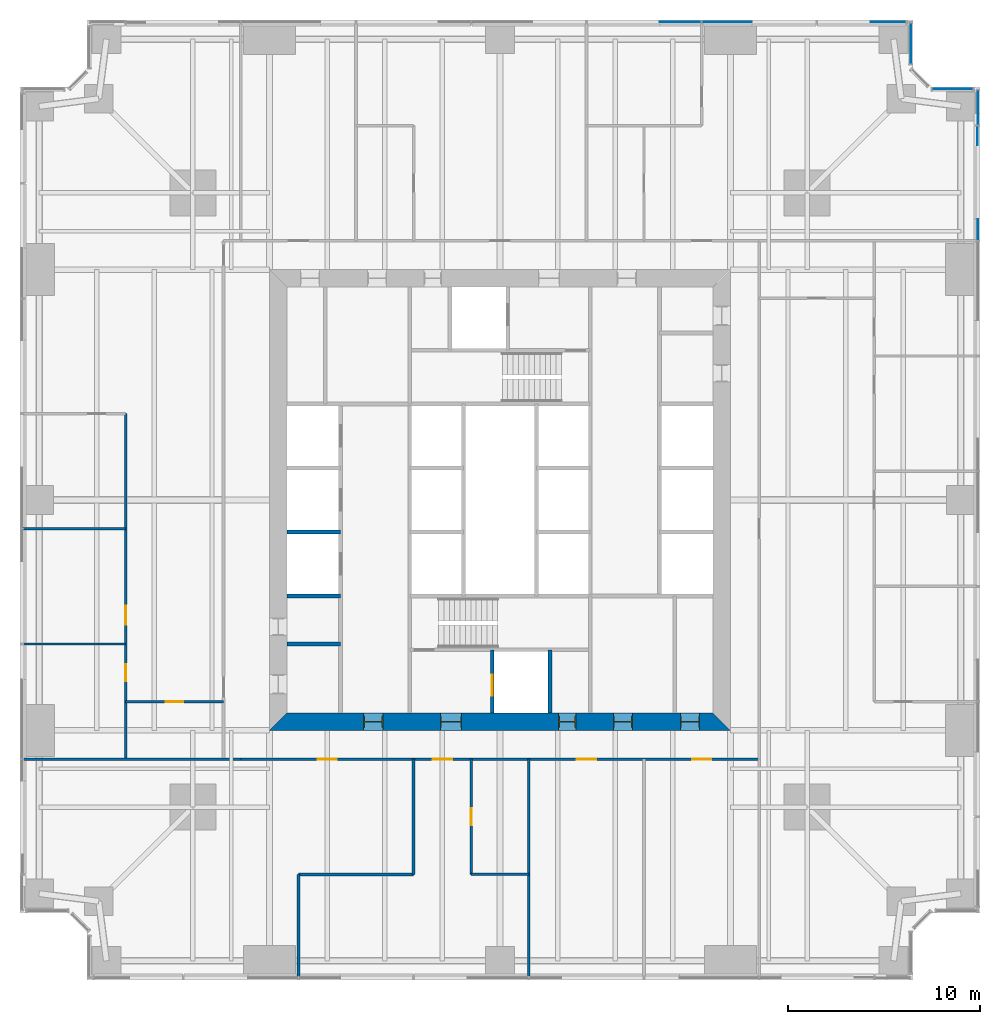
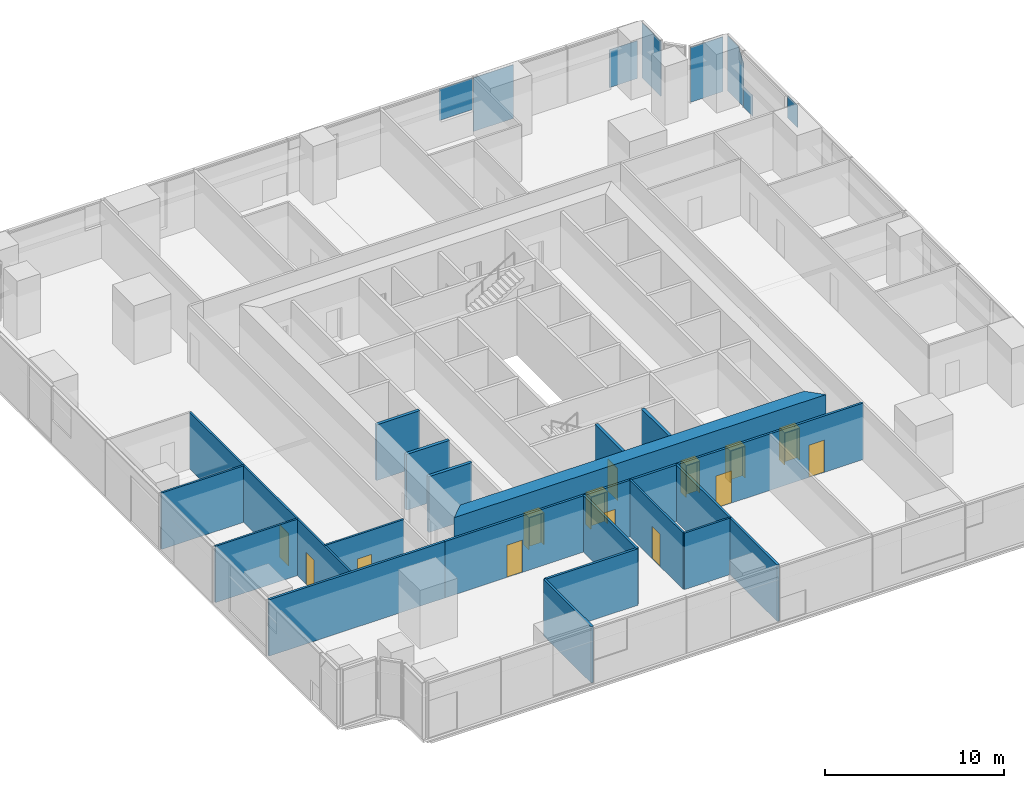
# One storey, part 9 of 14: 18 walls, 14 doors, 8 plates, 14 openings, 4 elements without a shape of their own.
"""IFC4 building model written with IfcOpenShell, lengths in metres."""

from ifc_helpers import new_model, si_unit, direction, frame, frame_2d, origin, origin_2d, place, context, subcontext, project, spatial, polyline, rectangle, outline, extrude, material, layer, layer_set, type_object, element, fill, aggregate, save


model = new_model("IFC4")

# Units and contexts
model_context = context("Model", 3, precision=1e-05, world=origin(), true_north=direction((0.0, 1.0)))
body_context = subcontext(model_context, "Body", "Model", "MODEL_VIEW")
ifc_project = project(units=[si_unit("LENGTHUNIT", "METRE"), si_unit("AREAUNIT", "SQUARE_METRE"), si_unit("VOLUMEUNIT", "CUBIC_METRE"), si_unit("PLANEANGLEUNIT", "RADIAN"), si_unit("MASSUNIT", "GRAM", prefix="KILO")], contexts=[model_context])

# Site, building, storey
site_placement = place(None, origin())
site = spatial("IfcSite", under=ifc_project, at=site_placement, CompositionType="ELEMENT")
building_placement = place(site_placement, origin())
building = spatial("IfcBuilding", under=site, at=building_placement, Name="Fenwick Lantern Interchange", CompositionType="ELEMENT")
storey_placement = place(building_placement, frame((0.0, 0.0, 35.0)))
storey = spatial("IfcBuildingStorey", under=building, at=storey_placement, Name="L07", CompositionType="ELEMENT", Elevation=35.0)

# Curtain wall, plates
ifc_material_1 = material(Name="Aluminium curtain wall frame", Category="aluminium")
curtain_wall_type = type_object("IfcCurtainWallType", Name="OFFICE CURTAIN WALL", PredefinedType="USERDEFINED", material=ifc_material_1)
curtain_wall_1_placement = place(storey_placement, origin())
curtain_wall_1 = element("IfcCurtainWall", 1, at=curtain_wall_1_placement, inside=storey, type_object=curtain_wall_type, Name="Office curtain wall 05", ObjectType="OFFICE CURTAIN WALL", PredefinedType="USERDEFINED")
ifc_material_2 = material(Name="Vision glass, clear low-iron double glazed", Category="glass")
ifc_layer_1 = layer(ifc_material_2, 0.031982421875)
ifc_layer_set_1 = layer_set([ifc_layer_1], Name="OFFICE CURTAIN WALL PANEL 32")
plate_type = type_object("IfcPlateType", Name="OFFICE CURTAIN WALL PANEL 32", PredefinedType="CURTAIN_PANEL", material=ifc_layer_set_1)
plate_1_placement = place(storey_placement, frame((49.89990234375, 3.60009765625, 2.207763671875), z_axis=(0.0, 0.0, 1.0), x_axis=(0.0, 1.0, 0.0)))
plate_1 = element("IfcPlate", 2, at=plate_1_placement, type_object=plate_type, Name="L07/CW/05/P06a", PredefinedType="CURTAIN_PANEL", context=body_context, shape_type="SweptSolid", body=[
    extrude(outline(polyline([(34.9326171875, 0.0), (36.027587890625, 0.0), (36.027587890625, 1.542236328125), (34.9326171875, 1.542236328125), (34.9326171875, 0.0)])), frame((0.0, 0.01611328125, 0.0), z_axis=(0.0, -1.0, 0.0), x_axis=(1.0, 0.0, 0.0)), (0.0, 0.0, 1.0), 0.031982421875),
])
plate_2_placement = place(storey_placement, frame((49.89990234375, 3.60009765625, 0.0), z_axis=(0.0, 0.0, 1.0), x_axis=(0.0, 1.0, 0.0)))
plate_2 = element("IfcPlate", 3, at=plate_2_placement, type_object=plate_type, Name="L07/CW/05/P06b", PredefinedType="CURTAIN_PANEL", context=body_context, shape_type="SweptSolid", body=[
    extrude(outline(polyline([(39.87060546875, 0.0), (40.867431640625, 0.0), (40.867431640625, 1.406982421875), (39.87060546875, 1.406982421875), (39.87060546875, 0.0)])), frame((0.0, 0.0498046875, 0.0), z_axis=(0.0, -1.0, 0.0), x_axis=(1.0, 0.0, 0.0)), (0.0, 0.0, 1.0), 0.031982421875),
])
plate_3_placement = place(storey_placement, frame((49.89990234375, 3.60009765625, 0.0), z_axis=(0.0, 0.0, 1.0), x_axis=(0.0, 1.0, 0.0)))
plate_3 = element("IfcPlate", 4, at=plate_3_placement, type_object=plate_type, Name="L07/CW/05/P07a", PredefinedType="CURTAIN_PANEL", context=body_context, shape_type="SweptSolid", body=[
    extrude(outline(polyline([(40.9326171875, 0.0), (42.735107421875, 0.0), (42.735107421875, 3.75), (41.527587890625, 3.75), (40.9326171875, 2.90869140625), (40.9326171875, 0.0)])), frame((0.0, 0.01611328125, 0.0), z_axis=(0.0, -1.0, 0.0), x_axis=(1.0, 0.0, 0.0)), (0.0, 0.0, 1.0), 0.031982421875),
])
aggregate(curtain_wall_1, [plate_1, plate_2, plate_3])

# Curtain wall, plate
curtain_wall_2_placement = place(storey_placement, origin())
curtain_wall_2 = element("IfcCurtainWall", 5, at=curtain_wall_2_placement, inside=storey, type_object=curtain_wall_type, Name="Office curtain wall 06", ObjectType="OFFICE CURTAIN WALL", PredefinedType="USERDEFINED")
plate_4_placement = place(storey_placement, frame((48.579345703125, 46.39990234375, 0.0), z_axis=(0.0, 0.0, 1.0), x_axis=(-1.0, 0.0, 0.0)))
plate_4 = element("IfcPlate", 6, at=plate_4_placement, type_object=plate_type, Name="L07/CW/06/P00", PredefinedType="CURTAIN_PANEL", context=body_context, shape_type="SweptSolid", body=[
    extrude(rectangle(XDim=2.111328125, YDim=0.031982421875, at=origin_2d()), origin(), (0.0, 0.0, 1.0), 3.75),
])
aggregate(curtain_wall_2, [plate_4])

curtain_wall_3_placement = place(storey_placement, origin())
curtain_wall_3 = element("IfcCurtainWall", 7, at=curtain_wall_3_placement, inside=storey, type_object=curtain_wall_type, Name="Office curtain wall 08", ObjectType="OFFICE CURTAIN WALL", PredefinedType="USERDEFINED")
plate_5_placement = place(storey_placement, frame((46.39990234375, 48.779296875, 0.0), z_axis=(0.0, 0.0, 1.0), x_axis=(0.0, 1.0, 0.0)))
plate_5 = element("IfcPlate", 8, at=plate_5_placement, type_object=plate_type, Name="L07/CW/08/P00", PredefinedType="CURTAIN_PANEL", context=body_context, shape_type="SweptSolid", body=[
    extrude(rectangle(XDim=2.111328125, YDim=0.031982421875, at=origin_2d()), origin(), (0.0, 0.0, 1.0), 3.75),
])
aggregate(curtain_wall_3, [plate_5])

# Curtain wall, plates
curtain_wall_4_placement = place(storey_placement, origin())
curtain_wall_4 = element("IfcCurtainWall", 9, at=curtain_wall_4_placement, inside=storey, type_object=curtain_wall_type, Name="Office curtain wall 09", ObjectType="OFFICE CURTAIN WALL", PredefinedType="USERDEFINED")
plate_6_placement = place(storey_placement, frame((46.39990234375, 49.89990234375, 0.0), z_axis=(0.0, 0.0, 1.0), x_axis=(-1.0, 0.0, 0.0)))
plate_6 = element("IfcPlate", 10, at=plate_6_placement, type_object=plate_type, Name="L07/CW/09/P00a", PredefinedType="CURTAIN_PANEL", context=body_context, shape_type="SweptSolid", body=[
    extrude(outline(polyline([(0.264892578125, 0.0), (2.094970703125, 0.0), (2.094970703125, 2.5869140625), (0.264892578125, 2.5869140625), (0.264892578125, 0.0)])), frame((0.0, 0.01611328125, 0.0), z_axis=(0.0, -1.0, 0.0), x_axis=(1.0, 0.0, 0.0)), (0.0, 0.0, 1.0), 0.031982421875),
])
plate_7_placement = place(storey_placement, frame((46.39990234375, 49.89990234375, 0.08056640625), z_axis=(0.0, 0.0, 1.0), x_axis=(-1.0, 0.0, 0.0)))
plate_7 = element("IfcPlate", 11, at=plate_7_placement, type_object=plate_type, Name="L07/CW/09/P01a", PredefinedType="CURTAIN_PANEL", context=body_context, shape_type="SweptSolid", body=[
    extrude(outline(polyline([(8.27685546875, 0.0), (10.867431640625, 0.0), (10.867431640625, 3.66943359375), (8.27685546875, 3.66943359375), (8.27685546875, 0.0)])), frame((0.0, 0.01611328125, 0.0), z_axis=(0.0, -1.0, 0.0), x_axis=(1.0, 0.0, 0.0)), (0.0, 0.0, 1.0), 0.031982421875),
])
plate_8_placement = place(storey_placement, frame((46.39990234375, 49.89990234375, 1.60595703125), z_axis=(0.0, 0.0, 1.0), x_axis=(-1.0, 0.0, 0.0)))
plate_8 = element("IfcPlate", 12, at=plate_8_placement, type_object=plate_type, Name="L07/CW/09/P02a", PredefinedType="CURTAIN_PANEL", context=body_context, shape_type="SweptSolid", body=[
    extrude(outline(polyline([(10.9326171875, 0.0), (13.077392578125, 0.0), (13.077392578125, 2.14404296875), (10.9326171875, 2.14404296875), (10.9326171875, 0.0)])), frame((0.0, 0.01611328125, 0.0), z_axis=(0.0, -1.0, 0.0), x_axis=(1.0, 0.0, 0.0)), (0.0, 0.0, 1.0), 0.031982421875),
])
aggregate(curtain_wall_4, [plate_6, plate_7, plate_8])

# Walls
ifc_material_3 = material(Name="Concrete masonry ASTM C90 Grade N", Category="masonry")
ifc_layer_2 = layer(ifc_material_3, 0.199951171875)
ifc_layer_set_2 = layer_set([ifc_layer_2], Name="Concrete masonry ASTM C90 Grade N")
wall_type_1 = type_object("IfcWallType", Name="CORE PARTITION 200", PredefinedType="PARTITIONING", material=ifc_layer_set_2)
for number, where, z_axis, x_axis, name in (
    (13, (13.89990234375, 20.0, 0.0), (0.0, 0.0, 1.0), (1.0, 0.0, 0.0), "L07/W/CORES/c2"),
    (14, (13.89990234375, 23.333251953125, 0.0), (0.0, 0.0, 1.0), (1.0, 0.0, 0.0), "L07/W/CORES/d1"),
):
    element("IfcWall", number, at=place(storey_placement, frame(where, z_axis=z_axis, x_axis=x_axis)), inside=storey, type_object=wall_type_1, Name=name, PredefinedType="PARTITIONING", context=body_context, shape_type="SweptSolid", body=[
        extrude(rectangle(XDim=2.800048828125, YDim=0.199951171875, at=frame_2d((1.39990234375, 0.0))), origin(), (0.0, 0.0, 1.0), 3.800048828125),
    ])

# Wall, opening, door
wall_1_placement = place(storey_placement, frame((24.60009765625, 13.89990234375, 0.0), z_axis=(0.0, 0.0, 1.0), x_axis=(0.0, 1.0, 0.0)))
wall_1 = element("IfcWall", 15, at=wall_1_placement, inside=storey, type_object=wall_type_1, Name="L07/W/CORES/h1", PredefinedType="PARTITIONING", context=body_context, shape_type="SweptSolid", body=[
    extrude(rectangle(XDim=3.300048828125, YDim=0.199951171875, at=frame_2d((1.64990234375, 0.0))), origin(), (0.0, 0.0, 1.0), 3.800048828125),
])
opening_1_placement = place(wall_1_placement, frame((0.89990234375, 0.0, 0.0)))
opening_1 = element("IfcOpeningElement", 16, at=opening_1_placement, cuts=wall_1, Name="Opening LD-FL1", PredefinedType="OPENING", context=body_context, shape_type="SweptSolid", body=[
    extrude(rectangle(XDim=1.10009765625, YDim=2.199951171875, at=frame_2d((0.550048828125, 1.10009765625))), frame((0.0, 0.10986328125, 0.0), z_axis=(0.0, -1.0, 0.0), x_axis=(1.0, 0.0, 0.0)), (0.0, 0.0, 1.0), 0.219970703125),
])
ifc_material_4 = material(Name="Steel door and frame", Category="steel")
door_type_1 = type_object("IfcDoorType", Name="LIFT LANDING DOOR 1100 X 2200", OperationType="DOUBLE_DOOR_SLIDING", PredefinedType="DOOR", material=ifc_material_4)
door_1_placement = place(opening_1_placement, origin())
door_1 = element("IfcDoor", 17, at=door_1_placement, inside=storey, type_object=door_type_1, Name="Lift landing door FL1", OperationType="DOUBLE_DOOR_SLIDING", OverallHeight=2.199951171875, OverallWidth=1.10009765625, PredefinedType="DOOR", context=body_context, shape_type="SweptSolid", body=[
    extrude(rectangle(XDim=1.10009765625, YDim=2.199951171875, at=frame_2d((0.550048828125, 1.10009765625))), frame((0.0, 0.02490234375, 0.0), z_axis=(0.0, -1.0, 0.0), x_axis=(1.0, 0.0, 0.0)), (0.0, 0.0, 1.0), 0.050048828125),
])
fill(opening_1, door_1)

# Walls
wall_2_placement = place(storey_placement, frame((27.60009765625, 13.89990234375, 0.0), z_axis=(0.0, 0.0, 1.0), x_axis=(0.0, 1.0, 0.0)))
element("IfcWall", 18, at=wall_2_placement, inside=storey, type_object=wall_type_1, Name="L07/W/CORES/h2", PredefinedType="PARTITIONING", context=body_context, shape_type="SweptSolid", body=[
    extrude(rectangle(XDim=3.300048828125, YDim=0.199951171875, at=frame_2d((1.64990234375, 0.0))), origin(), (0.0, 0.0, 1.0), 3.800048828125),
])
wall_3_placement = place(storey_placement, frame((13.89990234375, 17.5, 0.0), z_axis=(0.0, 0.0, 1.0), x_axis=(1.0, 0.0, 0.0)))
element("IfcWall", 19, at=wall_3_placement, inside=storey, type_object=wall_type_1, Name="L07/W/CORES/p1", PredefinedType="PARTITIONING", context=body_context, shape_type="SweptSolid", body=[
    extrude(rectangle(XDim=2.800048828125, YDim=0.199951171875, at=frame_2d((1.39990234375, 0.0))), origin(), (0.0, 0.0, 1.0), 3.800048828125),
])

# Wall, openings, doors
ifc_material_5 = material(Name="Concrete f'c 70 MPa", Category="concrete")
ifc_layer_3 = layer(ifc_material_5, 0.89990234375)
ifc_layer_set_3 = layer_set([ifc_layer_3], Name="CORE WALL 900")
wall_type_2 = type_object("IfcWallType", Name="CORE WALL 900", PredefinedType="SHEAR", material=ifc_layer_set_3)
wall_4_placement = place(storey_placement, frame((13.0, 13.449951171875, 0.0), z_axis=(0.0, 0.0, 1.0), x_axis=(1.0, 0.0, 0.0)))
wall_4 = element("IfcWall", 20, at=wall_4_placement, inside=storey, type_object=wall_type_2, Name="L07/CORE/S", PredefinedType="SHEAR", context=body_context, shape_type="SweptSolid", body=[
    extrude(outline(polyline([(0.0, -0.449951171875), (24.0, -0.449951171875), (23.10009765625, 0.449951171875), (0.89990234375, 0.449951171875), (0.0, -0.449951171875)])), origin(), (0.0, 0.0, 1.0), 4.0),
])
opening_2_placement = place(wall_4_placement, frame((4.89990234375, 0.0, 0.0)))
opening_2 = element("IfcOpeningElement", 21, at=opening_2_placement, cuts=wall_4, Name="Opening L07-D001", PredefinedType="OPENING", context=body_context, shape_type="SweptSolid", body=[
    extrude(rectangle(XDim=1.0, YDim=2.199951171875, at=frame_2d((0.5, 1.10009765625))), frame((0.0, 0.4599609375, 0.0), z_axis=(0.0, -1.0, 0.0), x_axis=(1.0, 0.0, 0.0)), (0.0, 0.0, 1.0), 0.919921875),
])
opening_3_placement = place(wall_4_placement, frame((8.89990234375, 0.0, 0.0)))
opening_3 = element("IfcOpeningElement", 22, at=opening_3_placement, cuts=wall_4, Name="Opening L07-D002", PredefinedType="OPENING", context=body_context, shape_type="SweptSolid", body=[
    extrude(rectangle(XDim=1.10009765625, YDim=2.199951171875, at=frame_2d((0.550048828125, 1.10009765625))), frame((0.0, 0.4599609375, 0.0), z_axis=(0.0, -1.0, 0.0), x_axis=(1.0, 0.0, 0.0)), (0.0, 0.0, 1.0), 0.919921875),
])
opening_4_placement = place(wall_4_placement, frame((15.050048828125, 0.0, 0.0)))
opening_4 = element("IfcOpeningElement", 23, at=opening_4_placement, cuts=wall_4, Name="Opening L07-D004", PredefinedType="OPENING", context=body_context, shape_type="SweptSolid", body=[
    extrude(rectangle(XDim=0.89990234375, YDim=2.199951171875, at=frame_2d((0.449951171875, 1.10009765625))), frame((0.0, 0.4599609375, 0.0), z_axis=(0.0, -1.0, 0.0), x_axis=(1.0, 0.0, 0.0)), (0.0, 0.0, 1.0), 0.919921875),
])
opening_5_placement = place(wall_4_placement, frame((17.89990234375, 0.0, 0.0)))
opening_5 = element("IfcOpeningElement", 24, at=opening_5_placement, cuts=wall_4, Name="Opening L07-D005", PredefinedType="OPENING", context=body_context, shape_type="SweptSolid", body=[
    extrude(rectangle(XDim=1.0, YDim=2.199951171875, at=frame_2d((0.5, 1.10009765625))), frame((0.0, 0.4599609375, 0.0), z_axis=(0.0, -1.0, 0.0), x_axis=(1.0, 0.0, 0.0)), (0.0, 0.0, 1.0), 0.919921875),
])
opening_6_placement = place(wall_4_placement, frame((21.39990234375, 0.0, 0.0)))
opening_6 = element("IfcOpeningElement", 25, at=opening_6_placement, cuts=wall_4, Name="Opening L07-D006", PredefinedType="OPENING", context=body_context, shape_type="SweptSolid", body=[
    extrude(rectangle(XDim=1.0, YDim=2.199951171875, at=frame_2d((0.5, 1.10009765625))), frame((0.0, 0.4599609375, 0.0), z_axis=(0.0, -1.0, 0.0), x_axis=(1.0, 0.0, 0.0)), (0.0, 0.0, 1.0), 0.919921875),
])
door_type_2 = type_object("IfcDoorType", Name="CORE LOBBY DOOR 1000 X 2200", OperationType="SINGLE_SWING_LEFT", PredefinedType="DOOR", material=ifc_material_4)
door_2_placement = place(opening_2_placement, origin())
door_2 = element("IfcDoor", 26, at=door_2_placement, inside=storey, type_object=door_type_2, Name="Core lobby door", OperationType="SINGLE_SWING_LEFT", OverallHeight=2.199951171875, OverallWidth=1.0, PredefinedType="DOOR", context=body_context, shape_type="SweptSolid", body=[
    extrude(rectangle(XDim=1.0, YDim=2.199951171875, at=frame_2d((0.5, 1.10009765625))), frame((0.0, 0.02490234375, 0.0), z_axis=(0.0, -1.0, 0.0), x_axis=(1.0, 0.0, 0.0)), (0.0, 0.0, 1.0), 0.050048828125),
    extrude(outline(polyline([(0.0, 0.0), (0.0400390625, 0.0), (0.0400390625, 2.159912109375), (0.9599609375, 2.159912109375), (0.9599609375, 0.0), (1.0, 0.0), (1.0, 2.199951171875), (0.0, 2.199951171875), (0.0, 0.0)])), frame((0.0, 0.300048828125, 0.0), z_axis=(0.0, -1.0, 0.0), x_axis=(1.0, 0.0, 0.0)), (0.0, 0.0, 1.0), 0.60009765625),
])
fill(opening_2, door_2)
door_type_3 = type_object("IfcDoorType", Name="FIRE LOBBY DOOR 1100 X 2200", OperationType="SINGLE_SWING_LEFT", PredefinedType="DOOR", material=ifc_material_4)
door_3_placement = place(opening_3_placement, origin())
door_3 = element("IfcDoor", 27, at=door_3_placement, inside=storey, type_object=door_type_3, Name="Fire lobby door", OperationType="SINGLE_SWING_LEFT", OverallHeight=2.199951171875, OverallWidth=1.10009765625, PredefinedType="DOOR", context=body_context, shape_type="SweptSolid", body=[
    extrude(rectangle(XDim=1.10009765625, YDim=2.199951171875, at=frame_2d((0.550048828125, 1.10009765625))), frame((0.0, 0.02490234375, 0.0), z_axis=(0.0, -1.0, 0.0), x_axis=(1.0, 0.0, 0.0)), (0.0, 0.0, 1.0), 0.050048828125),
    extrude(outline(polyline([(0.0, 0.0), (0.0400390625, 0.0), (0.0400390625, 2.159912109375), (1.06005859375, 2.159912109375), (1.06005859375, 0.0), (1.10009765625, 0.0), (1.10009765625, 2.199951171875), (0.0, 2.199951171875), (0.0, 0.0)])), frame((0.0, 0.300048828125, 0.0), z_axis=(0.0, -1.0, 0.0), x_axis=(1.0, 0.0, 0.0)), (0.0, 0.0, 1.0), 0.60009765625),
])
fill(opening_3, door_3)
door_type_4 = type_object("IfcDoorType", Name="SERVICE DOOR 900 X 2200", OperationType="SINGLE_SWING_LEFT", PredefinedType="DOOR", material=ifc_material_4)
door_4_placement = place(opening_4_placement, origin())
door_4 = element("IfcDoor", 28, at=door_4_placement, inside=storey, type_object=door_type_4, Name="Service door", OperationType="SINGLE_SWING_LEFT", OverallHeight=2.199951171875, OverallWidth=0.89990234375, PredefinedType="DOOR", context=body_context, shape_type="SweptSolid", body=[
    extrude(rectangle(XDim=0.89990234375, YDim=2.199951171875, at=frame_2d((0.449951171875, 1.10009765625))), frame((0.0, 0.02490234375, 0.0), z_axis=(0.0, -1.0, 0.0), x_axis=(1.0, 0.0, 0.0)), (0.0, 0.0, 1.0), 0.050048828125),
    extrude(outline(polyline([(0.0, 0.0), (0.0400390625, 0.0), (0.0400390625, 2.159912109375), (0.85986328125, 2.159912109375), (0.85986328125, 0.0), (0.89990234375, 0.0), (0.89990234375, 2.199951171875), (0.0, 2.199951171875), (0.0, 0.0)])), frame((0.0, 0.300048828125, 0.0), z_axis=(0.0, -1.0, 0.0), x_axis=(1.0, 0.0, 0.0)), (0.0, 0.0, 1.0), 0.60009765625),
])
fill(opening_4, door_4)
ifc_material_6 = material(Name="Hardwood door and steel frame", Category="steel")
door_type_5 = type_object("IfcDoorType", Name="WC DOOR 1000 X 2200", OperationType="SINGLE_SWING_LEFT", PredefinedType="DOOR", material=ifc_material_6)
door_5_placement = place(opening_5_placement, origin())
door_5 = element("IfcDoor", 29, at=door_5_placement, inside=storey, type_object=door_type_5, Name="Wc door", OperationType="SINGLE_SWING_LEFT", OverallHeight=2.199951171875, OverallWidth=1.0, PredefinedType="DOOR", context=body_context, shape_type="SweptSolid", body=[
    extrude(rectangle(XDim=1.0, YDim=2.199951171875, at=frame_2d((0.5, 1.10009765625))), frame((0.0, 0.02490234375, 0.0), z_axis=(0.0, -1.0, 0.0), x_axis=(1.0, 0.0, 0.0)), (0.0, 0.0, 1.0), 0.050048828125),
    extrude(outline(polyline([(0.0, 0.0), (0.0400390625, 0.0), (0.0400390625, 2.159912109375), (0.9599609375, 2.159912109375), (0.9599609375, 0.0), (1.0, 0.0), (1.0, 2.199951171875), (0.0, 2.199951171875), (0.0, 0.0)])), frame((0.0, 0.300048828125, 0.0), z_axis=(0.0, -1.0, 0.0), x_axis=(1.0, 0.0, 0.0)), (0.0, 0.0, 1.0), 0.60009765625),
])
fill(opening_5, door_5)
door_6_placement = place(opening_6_placement, origin())
door_6 = element("IfcDoor", 30, at=door_6_placement, inside=storey, type_object=door_type_5, Name="Wc door", OperationType="SINGLE_SWING_LEFT", OverallHeight=2.199951171875, OverallWidth=1.0, PredefinedType="DOOR", context=body_context, shape_type="SweptSolid", body=[
    extrude(rectangle(XDim=1.0, YDim=2.199951171875, at=frame_2d((0.5, 1.10009765625))), frame((0.0, 0.02490234375, 0.0), z_axis=(0.0, -1.0, 0.0), x_axis=(1.0, 0.0, 0.0)), (0.0, 0.0, 1.0), 0.050048828125),
    extrude(outline(polyline([(0.0, 0.0), (0.0400390625, 0.0), (0.0400390625, 2.159912109375), (0.9599609375, 2.159912109375), (0.9599609375, 0.0), (1.0, 0.0), (1.0, 2.199951171875), (0.0, 2.199951171875), (0.0, 0.0)])), frame((0.0, 0.300048828125, 0.0), z_axis=(0.0, -1.0, 0.0), x_axis=(1.0, 0.0, 0.0)), (0.0, 0.0, 1.0), 0.60009765625),
])
fill(opening_6, door_6)

ifc_material_7 = material(Name="Gypsum board on steel studs, 1 hour", Category="steel")
ifc_layer_4 = layer(ifc_material_7, 0.14990234375)
ifc_layer_set_4 = layer_set([ifc_layer_4], Name="CORRIDOR WALL 150")
wall_type_3 = type_object("IfcWallType", Name="CORRIDOR WALL 150", PredefinedType="PARTITIONING", material=ifc_layer_set_4)
wall_5_placement = place(storey_placement, frame((11.5, 11.5, 0.0), z_axis=(0.0, 0.0, 1.0), x_axis=(1.0, 0.0, 0.0)))
wall_5 = element("IfcWall", 31, at=wall_5_placement, inside=storey, type_object=wall_type_3, Name="L07/W/OFF/S/CW", PredefinedType="PARTITIONING", context=body_context, shape_type="SweptSolid", body=[
    extrude(rectangle(XDim=27.0, YDim=0.14990234375, at=frame_2d((13.5, 0.0))), origin(), (0.0, 0.0, 1.0), 3.85009765625),
])
opening_7_placement = place(wall_5_placement, frame((4.0, 0.0, 0.0)))
opening_7 = element("IfcOpeningElement", 32, at=opening_7_placement, cuts=wall_5, Name="Opening L07-D017", PredefinedType="OPENING", context=body_context, shape_type="SweptSolid", body=[
    extrude(rectangle(XDim=1.0, YDim=2.199951171875, at=frame_2d((0.5, 1.10009765625))), frame((0.0, 0.0849609375, 0.0), z_axis=(0.0, -1.0, 0.0), x_axis=(1.0, 0.0, 0.0)), (0.0, 0.0, 1.0), 0.169921875),
])
opening_8_placement = place(wall_5_placement, frame((10.0, 0.0, 0.0)))
opening_8 = element("IfcOpeningElement", 33, at=opening_8_placement, cuts=wall_5, Name="Opening L07-D018", PredefinedType="OPENING", context=body_context, shape_type="SweptSolid", body=[
    extrude(rectangle(XDim=1.0, YDim=2.199951171875, at=frame_2d((0.5, 1.10009765625))), frame((0.0, 0.0849609375, 0.0), z_axis=(0.0, -1.0, 0.0), x_axis=(1.0, 0.0, 0.0)), (0.0, 0.0, 1.0), 0.169921875),
])
opening_9_placement = place(wall_5_placement, frame((17.5, 0.0, 0.0)))
opening_9 = element("IfcOpeningElement", 34, at=opening_9_placement, cuts=wall_5, Name="Opening L07-D020", PredefinedType="OPENING", context=body_context, shape_type="SweptSolid", body=[
    extrude(rectangle(XDim=1.0, YDim=2.199951171875, at=frame_2d((0.5, 1.10009765625))), frame((0.0, 0.0849609375, 0.0), z_axis=(0.0, -1.0, 0.0), x_axis=(1.0, 0.0, 0.0)), (0.0, 0.0, 1.0), 0.169921875),
])
opening_10_placement = place(wall_5_placement, frame((23.5, 0.0, 0.0)))
opening_10 = element("IfcOpeningElement", 35, at=opening_10_placement, cuts=wall_5, Name="Opening L07-D021", PredefinedType="OPENING", context=body_context, shape_type="SweptSolid", body=[
    extrude(rectangle(XDim=1.0, YDim=2.199951171875, at=frame_2d((0.5, 1.10009765625))), frame((0.0, 0.0849609375, 0.0), z_axis=(0.0, -1.0, 0.0), x_axis=(1.0, 0.0, 0.0)), (0.0, 0.0, 1.0), 0.169921875),
])
door_type_6 = type_object("IfcDoorType", Name="SUITE ENTRANCE DOOR 1000 X 2200", OperationType="SINGLE_SWING_LEFT", PredefinedType="DOOR", material=ifc_material_4)
door_7_placement = place(opening_7_placement, frame((1.0, 0.0, 0.0), z_axis=(0.0, 0.0, 1.0), x_axis=(-1.0, 0.0, 0.0)))
door_7 = element("IfcDoor", 36, at=door_7_placement, inside=storey, type_object=door_type_6, Name="Suite entrance door", OperationType="SINGLE_SWING_LEFT", OverallHeight=2.199951171875, OverallWidth=1.0, PredefinedType="DOOR", context=body_context, shape_type="SweptSolid", body=[
    extrude(rectangle(XDim=1.0, YDim=2.199951171875, at=frame_2d((0.5, 1.10009765625))), frame((0.0, 0.02490234375, 0.0), z_axis=(0.0, -1.0, 0.0), x_axis=(1.0, 0.0, 0.0)), (0.0, 0.0, 1.0), 0.050048828125),
])
fill(opening_7, door_7)
door_8_placement = place(opening_8_placement, frame((1.0, 0.0, 0.0), z_axis=(0.0, 0.0, 1.0), x_axis=(-1.0, 0.0, 0.0)))
door_8 = element("IfcDoor", 37, at=door_8_placement, inside=storey, type_object=door_type_6, Name="Suite entrance door", OperationType="SINGLE_SWING_RIGHT", OverallHeight=2.199951171875, OverallWidth=1.0, PredefinedType="DOOR", context=body_context, shape_type="SweptSolid", body=[
    extrude(rectangle(XDim=1.0, YDim=2.199951171875, at=frame_2d((0.5, 1.10009765625))), frame((0.0, 0.02490234375, 0.0), z_axis=(0.0, -1.0, 0.0), x_axis=(1.0, 0.0, 0.0)), (0.0, 0.0, 1.0), 0.050048828125),
])
fill(opening_8, door_8)
door_9_placement = place(opening_9_placement, frame((1.0, 0.0, 0.0), z_axis=(0.0, 0.0, 1.0), x_axis=(-1.0, 0.0, 0.0)))
door_9 = element("IfcDoor", 38, at=door_9_placement, inside=storey, type_object=door_type_6, Name="Suite entrance door", OperationType="SINGLE_SWING_RIGHT", OverallHeight=2.199951171875, OverallWidth=1.0, PredefinedType="DOOR", context=body_context, shape_type="SweptSolid", body=[
    extrude(rectangle(XDim=1.0, YDim=2.199951171875, at=frame_2d((0.5, 1.10009765625))), frame((0.0, 0.02490234375, 0.0), z_axis=(0.0, -1.0, 0.0), x_axis=(1.0, 0.0, 0.0)), (0.0, 0.0, 1.0), 0.050048828125),
])
fill(opening_9, door_9)
door_10_placement = place(opening_10_placement, frame((1.0, 0.0, 0.0), z_axis=(0.0, 0.0, 1.0), x_axis=(-1.0, 0.0, 0.0)))
door_10 = element("IfcDoor", 39, at=door_10_placement, inside=storey, type_object=door_type_6, Name="Suite entrance door", OperationType="SINGLE_SWING_RIGHT", OverallHeight=2.199951171875, OverallWidth=1.0, PredefinedType="DOOR", context=body_context, shape_type="SweptSolid", body=[
    extrude(rectangle(XDim=1.0, YDim=2.199951171875, at=frame_2d((0.5, 1.10009765625))), frame((0.0, 0.02490234375, 0.0), z_axis=(0.0, -1.0, 0.0), x_axis=(1.0, 0.0, 0.0)), (0.0, 0.0, 1.0), 0.050048828125),
])
fill(opening_10, door_10)

# Wall, opening, door
ifc_material_8 = material(Name="Gypsum board on steel studs, acoustic", Category="steel")
ifc_layer_5 = layer(ifc_material_8, 0.125)
ifc_layer_set_5 = layer_set([ifc_layer_5], Name="OFFICE PARTITION 125")
wall_type_4 = type_object("IfcWallType", Name="OFFICE PARTITION 125", PredefinedType="PARTITIONING", material=ifc_layer_set_5)
wall_6_placement = place(storey_placement, frame((23.5, 5.5, 0.0), z_axis=(0.0, 0.0, 1.0), x_axis=(0.0, 1.0, 0.0)))
wall_6 = element("IfcWall", 40, at=wall_6_placement, inside=storey, type_object=wall_type_4, Name="L07/W/OFF/S/X235-1", PredefinedType="PARTITIONING", context=body_context, shape_type="SweptSolid", body=[
    extrude(rectangle(XDim=6.0, YDim=0.125, at=frame_2d((3.0, 0.0))), origin(), (0.0, 0.0, 1.0), 3.85009765625),
])
opening_11_placement = place(wall_6_placement, frame((2.550048828125, 0.0, 0.0)))
opening_11 = element("IfcOpeningElement", 41, at=opening_11_placement, cuts=wall_6, Name="Opening L07-D019", PredefinedType="OPENING", context=body_context, shape_type="SweptSolid", body=[
    extrude(rectangle(XDim=0.89990234375, YDim=2.199951171875, at=frame_2d((0.449951171875, 1.10009765625))), frame((0.0, 0.072509765625, 0.0), z_axis=(0.0, -1.0, 0.0), x_axis=(1.0, 0.0, 0.0)), (0.0, 0.0, 1.0), 0.14501953125),
])
door_type_7 = type_object("IfcDoorType", Name="OFFICE DOOR 900 X 2200", OperationType="SINGLE_SWING_LEFT", PredefinedType="DOOR", material=ifc_material_6)
door_11_placement = place(opening_11_placement, frame((0.89990234375, 0.0, 0.0), z_axis=(0.0, 0.0, 1.0), x_axis=(-1.0, 0.0, 0.0)))
door_11 = element("IfcDoor", 42, at=door_11_placement, inside=storey, type_object=door_type_7, Name="Office door", OperationType="SINGLE_SWING_RIGHT", OverallHeight=2.199951171875, OverallWidth=0.89990234375, PredefinedType="DOOR", context=body_context, shape_type="SweptSolid", body=[
    extrude(rectangle(XDim=0.89990234375, YDim=2.199951171875, at=frame_2d((0.449951171875, 1.10009765625))), frame((0.0, 0.02490234375, 0.0), z_axis=(0.0, -1.0, 0.0), x_axis=(1.0, 0.0, 0.0)), (0.0, 0.0, 1.0), 0.050048828125),
])
fill(opening_11, door_11)

# Walls
wall_7_placement = place(storey_placement, frame((23.5, 5.5, 0.0), z_axis=(0.0, 0.0, 1.0), x_axis=(1.0, 0.0, 0.0)))
element("IfcWall", 43, at=wall_7_placement, inside=storey, type_object=wall_type_4, Name="L07/W/OFF/S/Y55-2", PredefinedType="PARTITIONING", context=body_context, shape_type="SweptSolid", body=[
    extrude(rectangle(XDim=3.0, YDim=0.125, at=frame_2d((1.5, 0.0))), origin(), (0.0, 0.0, 1.0), 3.85009765625),
])
for number, where, z_axis, x_axis, name in (
    (44, (0.14990234375, 23.5, 0.0), (0.0, 0.0, 1.0), (1.0, 0.0, 0.0), "L07/W/OFF/W/X265-1"),
    (45, (0.14990234375, 17.5, 0.0), (0.0, 0.0, 1.0), (1.0, 0.0, 0.0), "L07/W/OFF/W/X325-1"),
):
    element("IfcWall", number, at=place(storey_placement, frame(where, z_axis=z_axis, x_axis=x_axis)), inside=storey, type_object=wall_type_4, Name=name, PredefinedType="PARTITIONING", context=body_context, shape_type="SweptSolid", body=[
        extrude(rectangle(XDim=5.35009765625, YDim=0.125, at=frame_2d((2.675048828125, 0.0))), origin(), (0.0, 0.0, 1.0), 3.85009765625),
    ])

# Wall, opening, door
wall_8_placement = place(storey_placement, frame((5.5, 14.5, 0.0), z_axis=(0.0, 0.0, 1.0), x_axis=(1.0, 0.0, 0.0)))
wall_8 = element("IfcWall", 46, at=wall_8_placement, inside=storey, type_object=wall_type_4, Name="L07/W/OFF/W/X355-1", PredefinedType="PARTITIONING", context=body_context, shape_type="SweptSolid", body=[
    extrude(rectangle(XDim=5.10009765625, YDim=0.125, at=frame_2d((2.550048828125, 0.0))), origin(), (0.0, 0.0, 1.0), 3.85009765625),
])
opening_12_placement = place(wall_8_placement, frame((2.10009765625, 0.0, 0.0)))
opening_12 = element("IfcOpeningElement", 47, at=opening_12_placement, cuts=wall_8, Name="Opening L07-D039", PredefinedType="OPENING", context=body_context, shape_type="SweptSolid", body=[
    extrude(rectangle(XDim=0.89990234375, YDim=2.199951171875, at=frame_2d((0.449951171875, 1.10009765625))), frame((0.0, 0.072509765625, 0.0), z_axis=(0.0, -1.0, 0.0), x_axis=(1.0, 0.0, 0.0)), (0.0, 0.0, 1.0), 0.14501953125),
])
door_12_placement = place(opening_12_placement, frame((0.89990234375, 0.0, 0.0), z_axis=(0.0, 0.0, 1.0), x_axis=(-1.0, 0.0, 0.0)))
door_12 = element("IfcDoor", 48, at=door_12_placement, inside=storey, type_object=door_type_7, Name="Office door", OperationType="SINGLE_SWING_RIGHT", OverallHeight=2.199951171875, OverallWidth=0.89990234375, PredefinedType="DOOR", context=body_context, shape_type="SweptSolid", body=[
    extrude(rectangle(XDim=0.89990234375, YDim=2.199951171875, at=frame_2d((0.449951171875, 1.10009765625))), frame((0.0, 0.02490234375, 0.0), z_axis=(0.0, -1.0, 0.0), x_axis=(1.0, 0.0, 0.0)), (0.0, 0.0, 1.0), 0.050048828125),
])
fill(opening_12, door_12)

# Wall, openings, doors
wall_9_placement = place(storey_placement, frame((5.5, 29.5, 0.0), z_axis=(0.0, 0.0, 1.0), x_axis=(0.0, -1.0, 0.0)))
wall_9 = element("IfcWall", 49, at=wall_9_placement, inside=storey, type_object=wall_type_4, Name="L07/W/OFF/W/Y55-1", PredefinedType="PARTITIONING", context=body_context, shape_type="SweptSolid", body=[
    extrude(rectangle(XDim=18.0, YDim=0.125, at=frame_2d((9.0, 0.0))), origin(), (0.0, 0.0, 1.0), 3.85009765625),
])
opening_13_placement = place(wall_9_placement, frame((10.0, 0.0, 0.0)))
opening_13 = element("IfcOpeningElement", 50, at=opening_13_placement, cuts=wall_9, Name="Opening L07-D037", PredefinedType="OPENING", context=body_context, shape_type="SweptSolid", body=[
    extrude(rectangle(XDim=1.0, YDim=2.199951171875, at=frame_2d((0.5, 1.10009765625))), frame((0.0, 0.072509765625, 0.0), z_axis=(0.0, -1.0, 0.0), x_axis=(1.0, 0.0, 0.0)), (0.0, 0.0, 1.0), 0.14501953125),
])
opening_14_placement = place(wall_9_placement, frame((13.050048828125, 0.0, 0.0)))
opening_14 = element("IfcOpeningElement", 51, at=opening_14_placement, cuts=wall_9, Name="Opening L07-D038", PredefinedType="OPENING", context=body_context, shape_type="SweptSolid", body=[
    extrude(rectangle(XDim=0.89990234375, YDim=2.199951171875, at=frame_2d((0.449951171875, 1.10009765625))), frame((0.0, 0.072509765625, 0.0), z_axis=(0.0, -1.0, 0.0), x_axis=(1.0, 0.0, 0.0)), (0.0, 0.0, 1.0), 0.14501953125),
])
door_type_8 = type_object("IfcDoorType", Name="MEETING ROOM DOOR 1000 X 2200", OperationType="SINGLE_SWING_LEFT", PredefinedType="DOOR", material=ifc_material_6)
door_13_placement = place(opening_13_placement, frame((1.0, 0.0, 0.0), z_axis=(0.0, 0.0, 1.0), x_axis=(-1.0, 0.0, 0.0)))
door_13 = element("IfcDoor", 52, at=door_13_placement, inside=storey, type_object=door_type_8, Name="Meeting room door", OperationType="SINGLE_SWING_LEFT", OverallHeight=2.199951171875, OverallWidth=1.0, PredefinedType="DOOR", context=body_context, shape_type="SweptSolid", body=[
    extrude(rectangle(XDim=1.0, YDim=2.199951171875, at=frame_2d((0.5, 1.10009765625))), frame((0.0, 0.02490234375, 0.0), z_axis=(0.0, -1.0, 0.0), x_axis=(1.0, 0.0, 0.0)), (0.0, 0.0, 1.0), 0.050048828125),
])
fill(opening_13, door_13)
door_14_placement = place(opening_14_placement, frame((0.89990234375, 0.0, 0.0), z_axis=(0.0, 0.0, 1.0), x_axis=(-1.0, 0.0, 0.0)))
door_14 = element("IfcDoor", 53, at=door_14_placement, inside=storey, type_object=door_type_7, Name="Office door", OperationType="SINGLE_SWING_RIGHT", OverallHeight=2.199951171875, OverallWidth=0.89990234375, PredefinedType="DOOR", context=body_context, shape_type="SweptSolid", body=[
    extrude(rectangle(XDim=0.89990234375, YDim=2.199951171875, at=frame_2d((0.449951171875, 1.10009765625))), frame((0.0, 0.02490234375, 0.0), z_axis=(0.0, -1.0, 0.0), x_axis=(1.0, 0.0, 0.0)), (0.0, 0.0, 1.0), 0.050048828125),
])
fill(opening_14, door_14)

# Walls
ifc_material_9 = material(Name="Gypsum board on steel studs, 1 hour acoustic", Category="steel")
ifc_layer_6 = layer(ifc_material_9, 0.14990234375)
ifc_layer_set_6 = layer_set([ifc_layer_6], Name="TENANT WALL 150")
wall_type_5 = type_object("IfcWallType", Name="TENANT WALL 150", PredefinedType="PARTITIONING", material=ifc_layer_set_6)
wall_10_placement = place(storey_placement, frame((0.14990234375, 11.5, 0.0), z_axis=(0.0, 0.0, 1.0), x_axis=(1.0, 0.0, 0.0)))
element("IfcWall", 54, at=wall_10_placement, inside=storey, type_object=wall_type_5, Name="L07/W/OFF/S/BACK", PredefinedType="PARTITIONING", context=body_context, shape_type="SweptSolid", body=[
    extrude(rectangle(XDim=11.35009765625, YDim=0.14990234375, at=frame_2d((5.675048828125, 0.0))), origin(), (0.0, 0.0, 1.0), 3.85009765625),
])
wall_11_placement = place(storey_placement, frame((14.5, 0.14990234375, 0.0), z_axis=(0.0, 0.0, 1.0), x_axis=(0.0, 1.0, 0.0)))
element("IfcWall", 55, at=wall_11_placement, inside=storey, type_object=wall_type_5, Name="L07/W/OFF/S/X145-1", PredefinedType="PARTITIONING", context=body_context, shape_type="SweptSolid", body=[
    extrude(rectangle(XDim=5.35009765625, YDim=0.14990234375, at=frame_2d((2.675048828125, 0.0))), origin(), (0.0, 0.0, 1.0), 3.85009765625),
])
wall_12_placement = place(storey_placement, frame((20.5, 5.5, 0.0), z_axis=(0.0, 0.0, 1.0), x_axis=(0.0, 1.0, 0.0)))
element("IfcWall", 56, at=wall_12_placement, inside=storey, type_object=wall_type_5, Name="L07/W/OFF/S/X205-1", PredefinedType="PARTITIONING", context=body_context, shape_type="SweptSolid", body=[
    extrude(rectangle(XDim=6.0, YDim=0.14990234375, at=frame_2d((3.0, 0.0))), origin(), (0.0, 0.0, 1.0), 3.85009765625),
])
wall_13_placement = place(storey_placement, frame((26.5, 0.14990234375, 0.0), z_axis=(0.0, 0.0, 1.0), x_axis=(0.0, 1.0, 0.0)))
element("IfcWall", 57, at=wall_13_placement, inside=storey, type_object=wall_type_5, Name="L07/W/OFF/S/X265-1", PredefinedType="PARTITIONING", context=body_context, shape_type="SweptSolid", body=[
    extrude(rectangle(XDim=11.35009765625, YDim=0.14990234375, at=frame_2d((5.675048828125, 0.0))), origin(), (0.0, 0.0, 1.0), 3.85009765625),
])
wall_14_placement = place(storey_placement, frame((14.5, 5.5, 0.0), z_axis=(0.0, 0.0, 1.0), x_axis=(1.0, 0.0, 0.0)))
element("IfcWall", 58, at=wall_14_placement, inside=storey, type_object=wall_type_5, Name="L07/W/OFF/S/Y55-1", PredefinedType="PARTITIONING", context=body_context, shape_type="SweptSolid", body=[
    extrude(rectangle(XDim=6.0, YDim=0.14990234375, at=frame_2d((3.0, 0.0))), origin(), (0.0, 0.0, 1.0), 3.85009765625),
])

save(model, "model.ifc")
